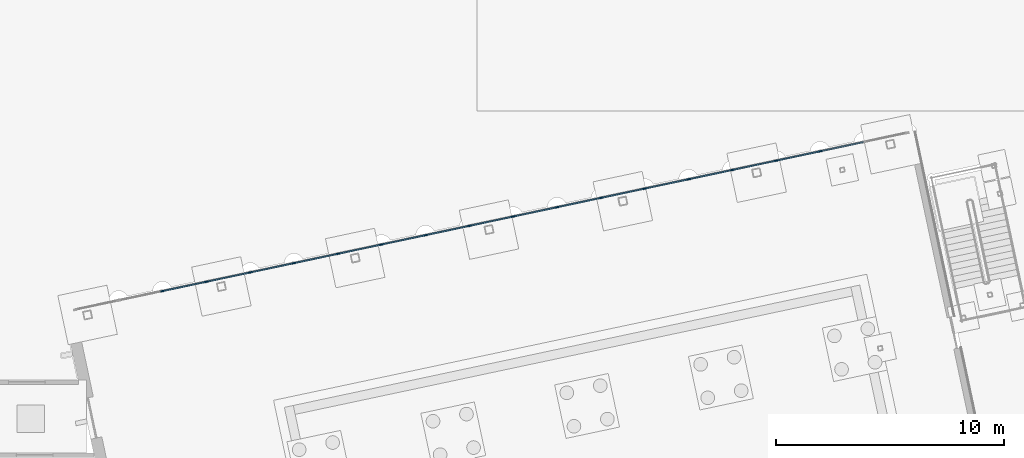
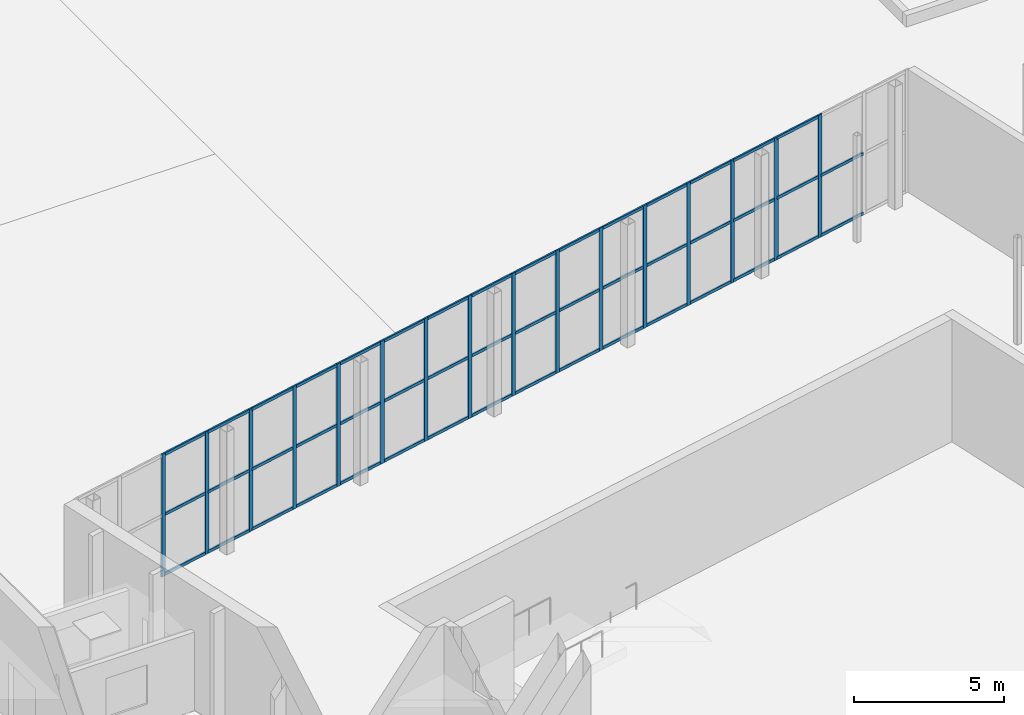
# One storey, part 53 of 157: 63 members, 1 element without a shape of its own.
"""IFC4 building model written with IfcOpenShell, lengths in metres."""

from ifc_helpers import new_model, si_unit, direction, frame, origin, origin_2d, place, context, subcontext, project, spatial, rectangle, extrude, material, layer, layer_set, material_profile, profile_set, type_object, element, aggregate, save


model = new_model("IFC4")

# Units and contexts
model_context = context("Model", 3, precision=1e-05, world=origin(), true_north=direction((0.0, 1.0)))
body_context = subcontext(model_context, "Body", "Model", "MODEL_VIEW")
ifc_project = project(units=[si_unit("LENGTHUNIT", "METRE"), si_unit("AREAUNIT", "SQUARE_METRE"), si_unit("VOLUMEUNIT", "CUBIC_METRE"), si_unit("PLANEANGLEUNIT", "RADIAN"), si_unit("MASSUNIT", "GRAM", prefix="KILO")], contexts=[model_context])

# Site, building, storey
site_placement = place(None, origin())
site = spatial("IfcSite", under=ifc_project, at=site_placement, CompositionType="ELEMENT")
building_placement = place(site_placement, origin())
building = spatial("IfcBuilding", under=site, at=building_placement, Name="Windward Yard Aquatics Centre", CompositionType="ELEMENT")
storey_placement = place(building_placement, origin())
storey = spatial("IfcBuildingStorey", under=building, at=storey_placement, Name="L00", CompositionType="ELEMENT", Elevation=0.0)

# Curtain wall, members
ifc_material_1 = material(Name="Aluminium and glass", Category="aluminium")
ifc_layer = layer(ifc_material_1, 0.159912109375)
ifc_layer_set = layer_set([ifc_layer], Name="D curtain wall 160")
curtain_wall_type = type_object("IfcCurtainWallType", Name="D curtain wall 160", PredefinedType="NOTDEFINED", material=ifc_layer_set)
curtain_wall_placement = place(storey_placement, origin())
curtain_wall = element("IfcCurtainWall", 1, at=curtain_wall_placement, inside=storey, type_object=curtain_wall_type, Name="North glazing L00", PredefinedType="NOTDEFINED")
ifc_material_2 = material(Name="Aluminium extrusion", Category="aluminium")
ifc_material_profile_1 = material_profile(ifc_material_2, rectangle(XDim=0.06005859375, YDim=0.159912109375, at=origin_2d()), Name="MULLION 60X160")
ifc_profile_set_1 = profile_set([ifc_material_profile_1], Name="Aluminium extrusion")
member_type_1 = type_object("IfcMemberType", Name="D curtain wall mullion 60X160", PredefinedType="MULLION", material=ifc_profile_set_1)
member_1_placement = place(storey_placement, frame((160.215576171875, 75.599609375, 0.0), z_axis=(0.0, 0.0, 1.0), x_axis=(-0.207911718662, 0.978147594815, 0.0)))
member_1 = element("IfcMember", 2, at=member_1_placement, type_object=member_type_1, Name="DCW-L00 mullion 3", PredefinedType="MULLION", context=body_context, shape_type="SweptSolid", body=[
    extrude(rectangle(XDim=0.06005859375, YDim=0.159912109375, at=origin_2d()), origin(), (0.0, 0.0, 1.0), 5.0),
])
member_2_placement = place(storey_placement, frame((162.13818359375, 76.00830078125, 0.0), z_axis=(0.0, 0.0, 1.0), x_axis=(-0.207911718662, 0.978147594815, 0.0)))
member_2 = element("IfcMember", 3, at=member_2_placement, type_object=member_type_1, Name="DCW-L00 mullion 4", PredefinedType="MULLION", context=body_context, shape_type="SweptSolid", body=[
    extrude(rectangle(XDim=0.06005859375, YDim=0.159912109375, at=origin_2d()), origin(), (0.0, 0.0, 1.0), 5.0),
])
member_3_placement = place(storey_placement, frame((164.06103515625, 76.4169921875, 0.0), z_axis=(0.0, 0.0, 1.0), x_axis=(-0.207911718662, 0.978147594815, 0.0)))
member_3 = element("IfcMember", 4, at=member_3_placement, type_object=member_type_1, Name="DCW-L00 mullion 5", PredefinedType="MULLION", context=body_context, shape_type="SweptSolid", body=[
    extrude(rectangle(XDim=0.06005859375, YDim=0.159912109375, at=origin_2d()), origin(), (0.0, 0.0, 1.0), 5.0),
])
member_4_placement = place(storey_placement, frame((165.98388671875, 76.82568359375, 0.0), z_axis=(0.0, 0.0, 1.0), x_axis=(-0.207911718662, 0.978147594815, 0.0)))
member_4 = element("IfcMember", 5, at=member_4_placement, type_object=member_type_1, Name="DCW-L00 mullion 6", PredefinedType="MULLION", context=body_context, shape_type="SweptSolid", body=[
    extrude(rectangle(XDim=0.06005859375, YDim=0.159912109375, at=origin_2d()), origin(), (0.0, 0.0, 1.0), 5.0),
])
member_5_placement = place(storey_placement, frame((167.90673828125, 77.234375, 0.0), z_axis=(0.0, 0.0, 1.0), x_axis=(-0.207911718662, 0.978147594815, 0.0)))
member_5 = element("IfcMember", 6, at=member_5_placement, type_object=member_type_1, Name="DCW-L00 mullion 7", PredefinedType="MULLION", context=body_context, shape_type="SweptSolid", body=[
    extrude(rectangle(XDim=0.06005859375, YDim=0.159912109375, at=origin_2d()), origin(), (0.0, 0.0, 1.0), 5.0),
])
member_6_placement = place(storey_placement, frame((169.82958984375, 77.64306640625, 0.0), z_axis=(0.0, 0.0, 1.0), x_axis=(-0.207911718662, 0.978147594815, 0.0)))
member_6 = element("IfcMember", 7, at=member_6_placement, type_object=member_type_1, Name="DCW-L00 mullion 8", PredefinedType="MULLION", context=body_context, shape_type="SweptSolid", body=[
    extrude(rectangle(XDim=0.06005859375, YDim=0.159912109375, at=origin_2d()), origin(), (0.0, 0.0, 1.0), 5.0),
])
member_7_placement = place(storey_placement, frame((171.75244140625, 78.0517578125, 0.0), z_axis=(0.0, 0.0, 1.0), x_axis=(-0.207911718662, 0.978147594815, 0.0)))
member_7 = element("IfcMember", 8, at=member_7_placement, type_object=member_type_1, Name="DCW-L00 mullion 9", PredefinedType="MULLION", context=body_context, shape_type="SweptSolid", body=[
    extrude(rectangle(XDim=0.06005859375, YDim=0.159912109375, at=origin_2d()), origin(), (0.0, 0.0, 1.0), 5.0),
])
member_8_placement = place(storey_placement, frame((173.67529296875, 78.46044921875, 0.0), z_axis=(0.0, 0.0, 1.0), x_axis=(-0.207911718662, 0.978147594815, 0.0)))
member_8 = element("IfcMember", 9, at=member_8_placement, type_object=member_type_1, Name="DCW-L00 mullion 10", PredefinedType="MULLION", context=body_context, shape_type="SweptSolid", body=[
    extrude(rectangle(XDim=0.06005859375, YDim=0.159912109375, at=origin_2d()), origin(), (0.0, 0.0, 1.0), 5.0),
])
member_9_placement = place(storey_placement, frame((175.59814453125, 78.869140625, 0.0), z_axis=(0.0, 0.0, 1.0), x_axis=(-0.207911718662, 0.978147594815, 0.0)))
member_9 = element("IfcMember", 10, at=member_9_placement, type_object=member_type_1, Name="DCW-L00 mullion 11", PredefinedType="MULLION", context=body_context, shape_type="SweptSolid", body=[
    extrude(rectangle(XDim=0.06005859375, YDim=0.159912109375, at=origin_2d()), origin(), (0.0, 0.0, 1.0), 5.0),
])
member_10_placement = place(storey_placement, frame((177.52099609375, 79.27783203125, 0.0), z_axis=(0.0, 0.0, 1.0), x_axis=(-0.207911718662, 0.978147594815, 0.0)))
member_10 = element("IfcMember", 11, at=member_10_placement, type_object=member_type_1, Name="DCW-L00 mullion 12", PredefinedType="MULLION", context=body_context, shape_type="SweptSolid", body=[
    extrude(rectangle(XDim=0.06005859375, YDim=0.159912109375, at=origin_2d()), origin(), (0.0, 0.0, 1.0), 5.0),
])
member_11_placement = place(storey_placement, frame((179.44384765625, 79.6865234375, 0.0), z_axis=(0.0, 0.0, 1.0), x_axis=(-0.207911718662, 0.978147594815, 0.0)))
member_11 = element("IfcMember", 12, at=member_11_placement, type_object=member_type_1, Name="DCW-L00 mullion 13", PredefinedType="MULLION", context=body_context, shape_type="SweptSolid", body=[
    extrude(rectangle(XDim=0.06005859375, YDim=0.159912109375, at=origin_2d()), origin(), (0.0, 0.0, 1.0), 5.0),
])
member_12_placement = place(storey_placement, frame((181.36669921875, 80.09521484375, 0.0), z_axis=(0.0, 0.0, 1.0), x_axis=(-0.207911718662, 0.978147594815, 0.0)))
member_12 = element("IfcMember", 13, at=member_12_placement, type_object=member_type_1, Name="DCW-L00 mullion 14", PredefinedType="MULLION", context=body_context, shape_type="SweptSolid", body=[
    extrude(rectangle(XDim=0.06005859375, YDim=0.159912109375, at=origin_2d()), origin(), (0.0, 0.0, 1.0), 5.0),
])
member_13_placement = place(storey_placement, frame((183.28955078125, 80.504150390625, 0.0), z_axis=(0.0, 0.0, 1.0), x_axis=(-0.207911718662, 0.978147594815, 0.0)))
member_13 = element("IfcMember", 14, at=member_13_placement, type_object=member_type_1, Name="DCW-L00 mullion 15", PredefinedType="MULLION", context=body_context, shape_type="SweptSolid", body=[
    extrude(rectangle(XDim=0.06005859375, YDim=0.159912109375, at=origin_2d()), origin(), (0.0, 0.0, 1.0), 5.0),
])
member_14_placement = place(storey_placement, frame((185.212158203125, 80.912841796875, 0.0), z_axis=(0.0, 0.0, 1.0), x_axis=(-0.207911718662, 0.978147594815, 0.0)))
member_14 = element("IfcMember", 15, at=member_14_placement, type_object=member_type_1, Name="DCW-L00 mullion 16", PredefinedType="MULLION", context=body_context, shape_type="SweptSolid", body=[
    extrude(rectangle(XDim=0.06005859375, YDim=0.159912109375, at=origin_2d()), origin(), (0.0, 0.0, 1.0), 5.0),
])
member_15_placement = place(storey_placement, frame((187.135009765625, 81.321533203125, 0.0), z_axis=(0.0, 0.0, 1.0), x_axis=(-0.207911718662, 0.978147594815, 0.0)))
member_15 = element("IfcMember", 16, at=member_15_placement, type_object=member_type_1, Name="DCW-L00 mullion 17", PredefinedType="MULLION", context=body_context, shape_type="SweptSolid", body=[
    extrude(rectangle(XDim=0.06005859375, YDim=0.159912109375, at=origin_2d()), origin(), (0.0, 0.0, 1.0), 5.0),
])
member_16_placement = place(storey_placement, frame((189.057861328125, 81.730224609375, 0.0), z_axis=(0.0, 0.0, 1.0), x_axis=(-0.207911718662, 0.978147594815, 0.0)))
member_16 = element("IfcMember", 17, at=member_16_placement, type_object=member_type_1, Name="DCW-L00 mullion 18", PredefinedType="MULLION", context=body_context, shape_type="SweptSolid", body=[
    extrude(rectangle(XDim=0.06005859375, YDim=0.159912109375, at=origin_2d()), origin(), (0.0, 0.0, 1.0), 5.0),
])
ifc_material_profile_2 = material_profile(ifc_material_2, rectangle(XDim=0.06005859375, YDim=0.1201171875, at=origin_2d()), Name="TRANSOM 60X120")
ifc_profile_set_2 = profile_set([ifc_material_profile_2], Name="Aluminium extrusion")
member_type_2 = type_object("IfcMemberType", Name="D curtain wall transom 60X120", PredefinedType="USERDEFINED", material=ifc_profile_set_2)
member_17_placement = place(storey_placement, frame((160.244873046875, 75.605712890625, 0.06005859375), z_axis=(0.978144196583, 0.207927705443, 0.0), x_axis=(-0.207927705443, 0.978144196583, 0.0)))
member_17 = element("IfcMember", 18, at=member_17_placement, type_object=member_type_2, Name="DCW-L00 transom 3.1", ObjectType="TRANSOM", PredefinedType="USERDEFINED", context=body_context, shape_type="SweptSolid", body=[
    extrude(rectangle(XDim=0.06005859375, YDim=0.1201171875, at=origin_2d()), origin(), (0.0, 0.0, 1.0), 1.90576171875),
])
member_18_placement = place(storey_placement, frame((160.244873046875, 75.605712890625, 2.5), z_axis=(0.978144196583, 0.207927705443, 0.0), x_axis=(-0.207927705443, 0.978144196583, 0.0)))
member_18 = element("IfcMember", 19, at=member_18_placement, type_object=member_type_2, Name="DCW-L00 transom 3.2", ObjectType="TRANSOM", PredefinedType="USERDEFINED", context=body_context, shape_type="SweptSolid", body=[
    extrude(rectangle(XDim=0.06005859375, YDim=0.1201171875, at=origin_2d()), origin(), (0.0, 0.0, 1.0), 1.90576171875),
])
member_19_placement = place(storey_placement, frame((160.244873046875, 75.605712890625, 4.93994140625), z_axis=(0.978144196583, 0.207927705443, 0.0), x_axis=(-0.207927705443, 0.978144196583, 0.0)))
member_19 = element("IfcMember", 20, at=member_19_placement, type_object=member_type_2, Name="DCW-L00 transom 3.3", ObjectType="TRANSOM", PredefinedType="USERDEFINED", context=body_context, shape_type="SweptSolid", body=[
    extrude(rectangle(XDim=0.06005859375, YDim=0.1201171875, at=origin_2d()), origin(), (0.0, 0.0, 1.0), 1.90576171875),
])
member_20_placement = place(storey_placement, frame((162.167724609375, 76.014404296875, 0.06005859375), z_axis=(0.978144196583, 0.207927705443, 0.0), x_axis=(-0.207927705443, 0.978144196583, 0.0)))
member_20 = element("IfcMember", 21, at=member_20_placement, type_object=member_type_2, Name="DCW-L00 transom 4.1", ObjectType="TRANSOM", PredefinedType="USERDEFINED", context=body_context, shape_type="SweptSolid", body=[
    extrude(rectangle(XDim=0.06005859375, YDim=0.1201171875, at=origin_2d()), origin(), (0.0, 0.0, 1.0), 1.90576171875),
])
member_21_placement = place(storey_placement, frame((162.167724609375, 76.014404296875, 2.5), z_axis=(0.978144196583, 0.207927705443, 0.0), x_axis=(-0.207927705443, 0.978144196583, 0.0)))
member_21 = element("IfcMember", 22, at=member_21_placement, type_object=member_type_2, Name="DCW-L00 transom 4.2", ObjectType="TRANSOM", PredefinedType="USERDEFINED", context=body_context, shape_type="SweptSolid", body=[
    extrude(rectangle(XDim=0.06005859375, YDim=0.1201171875, at=origin_2d()), origin(), (0.0, 0.0, 1.0), 1.90576171875),
])
member_22_placement = place(storey_placement, frame((162.167724609375, 76.014404296875, 4.93994140625), z_axis=(0.978144196583, 0.207927705443, 0.0), x_axis=(-0.207927705443, 0.978144196583, 0.0)))
member_22 = element("IfcMember", 23, at=member_22_placement, type_object=member_type_2, Name="DCW-L00 transom 4.3", ObjectType="TRANSOM", PredefinedType="USERDEFINED", context=body_context, shape_type="SweptSolid", body=[
    extrude(rectangle(XDim=0.06005859375, YDim=0.1201171875, at=origin_2d()), origin(), (0.0, 0.0, 1.0), 1.90576171875),
])
member_23_placement = place(storey_placement, frame((164.090576171875, 76.423095703125, 0.06005859375), z_axis=(0.978144196583, 0.207927705443, 0.0), x_axis=(-0.207927705443, 0.978144196583, 0.0)))
member_23 = element("IfcMember", 24, at=member_23_placement, type_object=member_type_2, Name="DCW-L00 transom 5.1", ObjectType="TRANSOM", PredefinedType="USERDEFINED", context=body_context, shape_type="SweptSolid", body=[
    extrude(rectangle(XDim=0.06005859375, YDim=0.1201171875, at=origin_2d()), origin(), (0.0, 0.0, 1.0), 1.90576171875),
])
member_24_placement = place(storey_placement, frame((164.090576171875, 76.423095703125, 2.5), z_axis=(0.978144196583, 0.207927705443, 0.0), x_axis=(-0.207927705443, 0.978144196583, 0.0)))
member_24 = element("IfcMember", 25, at=member_24_placement, type_object=member_type_2, Name="DCW-L00 transom 5.2", ObjectType="TRANSOM", PredefinedType="USERDEFINED", context=body_context, shape_type="SweptSolid", body=[
    extrude(rectangle(XDim=0.06005859375, YDim=0.1201171875, at=origin_2d()), origin(), (0.0, 0.0, 1.0), 1.90576171875),
])
member_25_placement = place(storey_placement, frame((164.090576171875, 76.423095703125, 4.93994140625), z_axis=(0.978144196583, 0.207927705443, 0.0), x_axis=(-0.207927705443, 0.978144196583, 0.0)))
member_25 = element("IfcMember", 26, at=member_25_placement, type_object=member_type_2, Name="DCW-L00 transom 5.3", ObjectType="TRANSOM", PredefinedType="USERDEFINED", context=body_context, shape_type="SweptSolid", body=[
    extrude(rectangle(XDim=0.06005859375, YDim=0.1201171875, at=origin_2d()), origin(), (0.0, 0.0, 1.0), 1.90576171875),
])
member_26_placement = place(storey_placement, frame((166.01318359375, 76.831787109375, 0.06005859375), z_axis=(0.978149734379, 0.207901652553, 0.0), x_axis=(-0.207901652553, 0.978149734379, 0.0)))
member_26 = element("IfcMember", 27, at=member_26_placement, type_object=member_type_2, Name="DCW-L00 transom 6.1", ObjectType="TRANSOM", PredefinedType="USERDEFINED", context=body_context, shape_type="SweptSolid", body=[
    extrude(rectangle(XDim=0.06005859375, YDim=0.1201171875, at=origin_2d()), origin(), (0.0, 0.0, 1.0), 1.906005859375),
])
member_27_placement = place(storey_placement, frame((166.01318359375, 76.831787109375, 2.5), z_axis=(0.978149734379, 0.207901652553, 0.0), x_axis=(-0.207901652553, 0.978149734379, 0.0)))
member_27 = element("IfcMember", 28, at=member_27_placement, type_object=member_type_2, Name="DCW-L00 transom 6.2", ObjectType="TRANSOM", PredefinedType="USERDEFINED", context=body_context, shape_type="SweptSolid", body=[
    extrude(rectangle(XDim=0.06005859375, YDim=0.1201171875, at=origin_2d()), origin(), (0.0, 0.0, 1.0), 1.906005859375),
])
member_28_placement = place(storey_placement, frame((166.01318359375, 76.831787109375, 4.93994140625), z_axis=(0.978149734379, 0.207901652553, 0.0), x_axis=(-0.207901652553, 0.978149734379, 0.0)))
member_28 = element("IfcMember", 29, at=member_28_placement, type_object=member_type_2, Name="DCW-L00 transom 6.3", ObjectType="TRANSOM", PredefinedType="USERDEFINED", context=body_context, shape_type="SweptSolid", body=[
    extrude(rectangle(XDim=0.06005859375, YDim=0.1201171875, at=origin_2d()), origin(), (0.0, 0.0, 1.0), 1.906005859375),
])
member_29_placement = place(storey_placement, frame((167.93603515625, 77.240478515625, 0.06005859375), z_axis=(0.978149734379, 0.207901652553, 0.0), x_axis=(-0.207901652553, 0.978149734379, 0.0)))
member_29 = element("IfcMember", 30, at=member_29_placement, type_object=member_type_2, Name="DCW-L00 transom 7.1", ObjectType="TRANSOM", PredefinedType="USERDEFINED", context=body_context, shape_type="SweptSolid", body=[
    extrude(rectangle(XDim=0.06005859375, YDim=0.1201171875, at=origin_2d()), origin(), (0.0, 0.0, 1.0), 1.906005859375),
])
member_30_placement = place(storey_placement, frame((167.93603515625, 77.240478515625, 2.5), z_axis=(0.978149734379, 0.207901652553, 0.0), x_axis=(-0.207901652553, 0.978149734379, 0.0)))
member_30 = element("IfcMember", 31, at=member_30_placement, type_object=member_type_2, Name="DCW-L00 transom 7.2", ObjectType="TRANSOM", PredefinedType="USERDEFINED", context=body_context, shape_type="SweptSolid", body=[
    extrude(rectangle(XDim=0.06005859375, YDim=0.1201171875, at=origin_2d()), origin(), (0.0, 0.0, 1.0), 1.906005859375),
])
member_31_placement = place(storey_placement, frame((167.93603515625, 77.240478515625, 4.93994140625), z_axis=(0.978149734379, 0.207901652553, 0.0), x_axis=(-0.207901652553, 0.978149734379, 0.0)))
member_31 = element("IfcMember", 32, at=member_31_placement, type_object=member_type_2, Name="DCW-L00 transom 7.3", ObjectType="TRANSOM", PredefinedType="USERDEFINED", context=body_context, shape_type="SweptSolid", body=[
    extrude(rectangle(XDim=0.06005859375, YDim=0.1201171875, at=origin_2d()), origin(), (0.0, 0.0, 1.0), 1.906005859375),
])
member_32_placement = place(storey_placement, frame((169.85888671875, 77.6494140625, 0.06005859375), z_axis=(0.978149734379, 0.207901652553, 0.0), x_axis=(-0.207901652553, 0.978149734379, 0.0)))
member_32 = element("IfcMember", 33, at=member_32_placement, type_object=member_type_2, Name="DCW-L00 transom 8.1", ObjectType="TRANSOM", PredefinedType="USERDEFINED", context=body_context, shape_type="SweptSolid", body=[
    extrude(rectangle(XDim=0.06005859375, YDim=0.1201171875, at=origin_2d()), origin(), (0.0, 0.0, 1.0), 1.906005859375),
])
member_33_placement = place(storey_placement, frame((169.85888671875, 77.6494140625, 2.5), z_axis=(0.978149734379, 0.207901652553, 0.0), x_axis=(-0.207901652553, 0.978149734379, 0.0)))
member_33 = element("IfcMember", 34, at=member_33_placement, type_object=member_type_2, Name="DCW-L00 transom 8.2", ObjectType="TRANSOM", PredefinedType="USERDEFINED", context=body_context, shape_type="SweptSolid", body=[
    extrude(rectangle(XDim=0.06005859375, YDim=0.1201171875, at=origin_2d()), origin(), (0.0, 0.0, 1.0), 1.906005859375),
])
member_34_placement = place(storey_placement, frame((169.85888671875, 77.6494140625, 4.93994140625), z_axis=(0.978149734379, 0.207901652553, 0.0), x_axis=(-0.207901652553, 0.978149734379, 0.0)))
member_34 = element("IfcMember", 35, at=member_34_placement, type_object=member_type_2, Name="DCW-L00 transom 8.3", ObjectType="TRANSOM", PredefinedType="USERDEFINED", context=body_context, shape_type="SweptSolid", body=[
    extrude(rectangle(XDim=0.06005859375, YDim=0.1201171875, at=origin_2d()), origin(), (0.0, 0.0, 1.0), 1.906005859375),
])
member_35_placement = place(storey_placement, frame((171.78173828125, 78.05810546875, 0.06005859375), z_axis=(0.978149734379, 0.207901652553, 0.0), x_axis=(-0.207901652553, 0.978149734379, 0.0)))
member_35 = element("IfcMember", 36, at=member_35_placement, type_object=member_type_2, Name="DCW-L00 transom 9.1", ObjectType="TRANSOM", PredefinedType="USERDEFINED", context=body_context, shape_type="SweptSolid", body=[
    extrude(rectangle(XDim=0.06005859375, YDim=0.1201171875, at=origin_2d()), origin(), (0.0, 0.0, 1.0), 1.906005859375),
])
member_36_placement = place(storey_placement, frame((171.78173828125, 78.05810546875, 2.5), z_axis=(0.978149734379, 0.207901652553, 0.0), x_axis=(-0.207901652553, 0.978149734379, 0.0)))
member_36 = element("IfcMember", 37, at=member_36_placement, type_object=member_type_2, Name="DCW-L00 transom 9.2", ObjectType="TRANSOM", PredefinedType="USERDEFINED", context=body_context, shape_type="SweptSolid", body=[
    extrude(rectangle(XDim=0.06005859375, YDim=0.1201171875, at=origin_2d()), origin(), (0.0, 0.0, 1.0), 1.906005859375),
])
member_37_placement = place(storey_placement, frame((171.78173828125, 78.05810546875, 4.93994140625), z_axis=(0.978149734379, 0.207901652553, 0.0), x_axis=(-0.207901652553, 0.978149734379, 0.0)))
member_37 = element("IfcMember", 38, at=member_37_placement, type_object=member_type_2, Name="DCW-L00 transom 9.3", ObjectType="TRANSOM", PredefinedType="USERDEFINED", context=body_context, shape_type="SweptSolid", body=[
    extrude(rectangle(XDim=0.06005859375, YDim=0.1201171875, at=origin_2d()), origin(), (0.0, 0.0, 1.0), 1.906005859375),
])
member_38_placement = place(storey_placement, frame((173.70458984375, 78.466796875, 0.06005859375), z_axis=(0.978149734379, 0.207901652553, 0.0), x_axis=(-0.207901652553, 0.978149734379, 0.0)))
member_38 = element("IfcMember", 39, at=member_38_placement, type_object=member_type_2, Name="DCW-L00 transom 10.1", ObjectType="TRANSOM", PredefinedType="USERDEFINED", context=body_context, shape_type="SweptSolid", body=[
    extrude(rectangle(XDim=0.06005859375, YDim=0.1201171875, at=origin_2d()), origin(), (0.0, 0.0, 1.0), 1.906005859375),
])
member_39_placement = place(storey_placement, frame((173.70458984375, 78.466796875, 2.5), z_axis=(0.978149734379, 0.207901652553, 0.0), x_axis=(-0.207901652553, 0.978149734379, 0.0)))
member_39 = element("IfcMember", 40, at=member_39_placement, type_object=member_type_2, Name="DCW-L00 transom 10.2", ObjectType="TRANSOM", PredefinedType="USERDEFINED", context=body_context, shape_type="SweptSolid", body=[
    extrude(rectangle(XDim=0.06005859375, YDim=0.1201171875, at=origin_2d()), origin(), (0.0, 0.0, 1.0), 1.906005859375),
])
member_40_placement = place(storey_placement, frame((173.70458984375, 78.466796875, 4.93994140625), z_axis=(0.978149734379, 0.207901652553, 0.0), x_axis=(-0.207901652553, 0.978149734379, 0.0)))
member_40 = element("IfcMember", 41, at=member_40_placement, type_object=member_type_2, Name="DCW-L00 transom 10.3", ObjectType="TRANSOM", PredefinedType="USERDEFINED", context=body_context, shape_type="SweptSolid", body=[
    extrude(rectangle(XDim=0.06005859375, YDim=0.1201171875, at=origin_2d()), origin(), (0.0, 0.0, 1.0), 1.906005859375),
])
member_41_placement = place(storey_placement, frame((175.62744140625, 78.87548828125, 0.06005859375), z_axis=(0.978149734379, 0.207901652553, 0.0), x_axis=(-0.207901652553, 0.978149734379, 0.0)))
member_41 = element("IfcMember", 42, at=member_41_placement, type_object=member_type_2, Name="DCW-L00 transom 11.1", ObjectType="TRANSOM", PredefinedType="USERDEFINED", context=body_context, shape_type="SweptSolid", body=[
    extrude(rectangle(XDim=0.06005859375, YDim=0.1201171875, at=origin_2d()), origin(), (0.0, 0.0, 1.0), 1.906005859375),
])
member_42_placement = place(storey_placement, frame((175.62744140625, 78.87548828125, 2.5), z_axis=(0.978149734379, 0.207901652553, 0.0), x_axis=(-0.207901652553, 0.978149734379, 0.0)))
member_42 = element("IfcMember", 43, at=member_42_placement, type_object=member_type_2, Name="DCW-L00 transom 11.2", ObjectType="TRANSOM", PredefinedType="USERDEFINED", context=body_context, shape_type="SweptSolid", body=[
    extrude(rectangle(XDim=0.06005859375, YDim=0.1201171875, at=origin_2d()), origin(), (0.0, 0.0, 1.0), 1.906005859375),
])
member_43_placement = place(storey_placement, frame((175.62744140625, 78.87548828125, 4.93994140625), z_axis=(0.978149734379, 0.207901652553, 0.0), x_axis=(-0.207901652553, 0.978149734379, 0.0)))
member_43 = element("IfcMember", 44, at=member_43_placement, type_object=member_type_2, Name="DCW-L00 transom 11.3", ObjectType="TRANSOM", PredefinedType="USERDEFINED", context=body_context, shape_type="SweptSolid", body=[
    extrude(rectangle(XDim=0.06005859375, YDim=0.1201171875, at=origin_2d()), origin(), (0.0, 0.0, 1.0), 1.906005859375),
])
member_44_placement = place(storey_placement, frame((177.55029296875, 79.2841796875, 0.06005859375), z_axis=(0.978149734379, 0.207901652553, 0.0), x_axis=(-0.207901652553, 0.978149734379, 0.0)))
member_44 = element("IfcMember", 45, at=member_44_placement, type_object=member_type_2, Name="DCW-L00 transom 12.1", ObjectType="TRANSOM", PredefinedType="USERDEFINED", context=body_context, shape_type="SweptSolid", body=[
    extrude(rectangle(XDim=0.06005859375, YDim=0.1201171875, at=origin_2d()), origin(), (0.0, 0.0, 1.0), 1.906005859375),
])
member_45_placement = place(storey_placement, frame((177.55029296875, 79.2841796875, 2.5), z_axis=(0.978149734379, 0.207901652553, 0.0), x_axis=(-0.207901652553, 0.978149734379, 0.0)))
member_45 = element("IfcMember", 46, at=member_45_placement, type_object=member_type_2, Name="DCW-L00 transom 12.2", ObjectType="TRANSOM", PredefinedType="USERDEFINED", context=body_context, shape_type="SweptSolid", body=[
    extrude(rectangle(XDim=0.06005859375, YDim=0.1201171875, at=origin_2d()), origin(), (0.0, 0.0, 1.0), 1.906005859375),
])
member_46_placement = place(storey_placement, frame((177.55029296875, 79.2841796875, 4.93994140625), z_axis=(0.978149734379, 0.207901652553, 0.0), x_axis=(-0.207901652553, 0.978149734379, 0.0)))
member_46 = element("IfcMember", 47, at=member_46_placement, type_object=member_type_2, Name="DCW-L00 transom 12.3", ObjectType="TRANSOM", PredefinedType="USERDEFINED", context=body_context, shape_type="SweptSolid", body=[
    extrude(rectangle(XDim=0.06005859375, YDim=0.1201171875, at=origin_2d()), origin(), (0.0, 0.0, 1.0), 1.906005859375),
])
member_47_placement = place(storey_placement, frame((179.47314453125, 79.69287109375, 0.06005859375), z_axis=(0.978144196583, 0.207927705443, 0.0), x_axis=(-0.207927705443, 0.978144196583, 0.0)))
member_47 = element("IfcMember", 48, at=member_47_placement, type_object=member_type_2, Name="DCW-L00 transom 13.1", ObjectType="TRANSOM", PredefinedType="USERDEFINED", context=body_context, shape_type="SweptSolid", body=[
    extrude(rectangle(XDim=0.06005859375, YDim=0.1201171875, at=origin_2d()), origin(), (0.0, 0.0, 1.0), 1.90576171875),
])
member_48_placement = place(storey_placement, frame((179.47314453125, 79.69287109375, 2.5), z_axis=(0.978144196583, 0.207927705443, 0.0), x_axis=(-0.207927705443, 0.978144196583, 0.0)))
member_48 = element("IfcMember", 49, at=member_48_placement, type_object=member_type_2, Name="DCW-L00 transom 13.2", ObjectType="TRANSOM", PredefinedType="USERDEFINED", context=body_context, shape_type="SweptSolid", body=[
    extrude(rectangle(XDim=0.06005859375, YDim=0.1201171875, at=origin_2d()), origin(), (0.0, 0.0, 1.0), 1.90576171875),
])
member_49_placement = place(storey_placement, frame((179.47314453125, 79.69287109375, 4.93994140625), z_axis=(0.978144196583, 0.207927705443, 0.0), x_axis=(-0.207927705443, 0.978144196583, 0.0)))
member_49 = element("IfcMember", 50, at=member_49_placement, type_object=member_type_2, Name="DCW-L00 transom 13.3", ObjectType="TRANSOM", PredefinedType="USERDEFINED", context=body_context, shape_type="SweptSolid", body=[
    extrude(rectangle(XDim=0.06005859375, YDim=0.1201171875, at=origin_2d()), origin(), (0.0, 0.0, 1.0), 1.90576171875),
])
member_50_placement = place(storey_placement, frame((181.39599609375, 80.1015625, 0.06005859375), z_axis=(0.978144196583, 0.207927705443, 0.0), x_axis=(-0.207927705443, 0.978144196583, 0.0)))
member_50 = element("IfcMember", 51, at=member_50_placement, type_object=member_type_2, Name="DCW-L00 transom 14.1", ObjectType="TRANSOM", PredefinedType="USERDEFINED", context=body_context, shape_type="SweptSolid", body=[
    extrude(rectangle(XDim=0.06005859375, YDim=0.1201171875, at=origin_2d()), origin(), (0.0, 0.0, 1.0), 1.90576171875),
])
member_51_placement = place(storey_placement, frame((181.39599609375, 80.1015625, 2.5), z_axis=(0.978144196583, 0.207927705443, 0.0), x_axis=(-0.207927705443, 0.978144196583, 0.0)))
member_51 = element("IfcMember", 52, at=member_51_placement, type_object=member_type_2, Name="DCW-L00 transom 14.2", ObjectType="TRANSOM", PredefinedType="USERDEFINED", context=body_context, shape_type="SweptSolid", body=[
    extrude(rectangle(XDim=0.06005859375, YDim=0.1201171875, at=origin_2d()), origin(), (0.0, 0.0, 1.0), 1.90576171875),
])
member_52_placement = place(storey_placement, frame((181.39599609375, 80.1015625, 4.93994140625), z_axis=(0.978144196583, 0.207927705443, 0.0), x_axis=(-0.207927705443, 0.978144196583, 0.0)))
member_52 = element("IfcMember", 53, at=member_52_placement, type_object=member_type_2, Name="DCW-L00 transom 14.3", ObjectType="TRANSOM", PredefinedType="USERDEFINED", context=body_context, shape_type="SweptSolid", body=[
    extrude(rectangle(XDim=0.06005859375, YDim=0.1201171875, at=origin_2d()), origin(), (0.0, 0.0, 1.0), 1.90576171875),
])
member_53_placement = place(storey_placement, frame((183.31884765625, 80.51025390625, 0.06005859375), z_axis=(0.978144196583, 0.207927705443, 0.0), x_axis=(-0.207927705443, 0.978144196583, 0.0)))
member_53 = element("IfcMember", 54, at=member_53_placement, type_object=member_type_2, Name="DCW-L00 transom 15.1", ObjectType="TRANSOM", PredefinedType="USERDEFINED", context=body_context, shape_type="SweptSolid", body=[
    extrude(rectangle(XDim=0.06005859375, YDim=0.1201171875, at=origin_2d()), origin(), (0.0, 0.0, 1.0), 1.90576171875),
])
member_54_placement = place(storey_placement, frame((183.31884765625, 80.51025390625, 2.5), z_axis=(0.978144196583, 0.207927705443, 0.0), x_axis=(-0.207927705443, 0.978144196583, 0.0)))
member_54 = element("IfcMember", 55, at=member_54_placement, type_object=member_type_2, Name="DCW-L00 transom 15.2", ObjectType="TRANSOM", PredefinedType="USERDEFINED", context=body_context, shape_type="SweptSolid", body=[
    extrude(rectangle(XDim=0.06005859375, YDim=0.1201171875, at=origin_2d()), origin(), (0.0, 0.0, 1.0), 1.90576171875),
])
member_55_placement = place(storey_placement, frame((183.31884765625, 80.51025390625, 4.93994140625), z_axis=(0.978144196583, 0.207927705443, 0.0), x_axis=(-0.207927705443, 0.978144196583, 0.0)))
member_55 = element("IfcMember", 56, at=member_55_placement, type_object=member_type_2, Name="DCW-L00 transom 15.3", ObjectType="TRANSOM", PredefinedType="USERDEFINED", context=body_context, shape_type="SweptSolid", body=[
    extrude(rectangle(XDim=0.06005859375, YDim=0.1201171875, at=origin_2d()), origin(), (0.0, 0.0, 1.0), 1.90576171875),
])
member_56_placement = place(storey_placement, frame((185.24169921875, 80.9189453125, 0.06005859375), z_axis=(0.978144196583, 0.207927705443, 0.0), x_axis=(-0.207927705443, 0.978144196583, 0.0)))
member_56 = element("IfcMember", 57, at=member_56_placement, type_object=member_type_2, Name="DCW-L00 transom 16.1", ObjectType="TRANSOM", PredefinedType="USERDEFINED", context=body_context, shape_type="SweptSolid", body=[
    extrude(rectangle(XDim=0.06005859375, YDim=0.1201171875, at=origin_2d()), origin(), (0.0, 0.0, 1.0), 1.90576171875),
])
member_57_placement = place(storey_placement, frame((185.24169921875, 80.9189453125, 2.5), z_axis=(0.978144196583, 0.207927705443, 0.0), x_axis=(-0.207927705443, 0.978144196583, 0.0)))
member_57 = element("IfcMember", 58, at=member_57_placement, type_object=member_type_2, Name="DCW-L00 transom 16.2", ObjectType="TRANSOM", PredefinedType="USERDEFINED", context=body_context, shape_type="SweptSolid", body=[
    extrude(rectangle(XDim=0.06005859375, YDim=0.1201171875, at=origin_2d()), origin(), (0.0, 0.0, 1.0), 1.90576171875),
])
member_58_placement = place(storey_placement, frame((185.24169921875, 80.9189453125, 4.93994140625), z_axis=(0.978144196583, 0.207927705443, 0.0), x_axis=(-0.207927705443, 0.978144196583, 0.0)))
member_58 = element("IfcMember", 59, at=member_58_placement, type_object=member_type_2, Name="DCW-L00 transom 16.3", ObjectType="TRANSOM", PredefinedType="USERDEFINED", context=body_context, shape_type="SweptSolid", body=[
    extrude(rectangle(XDim=0.06005859375, YDim=0.1201171875, at=origin_2d()), origin(), (0.0, 0.0, 1.0), 1.90576171875),
])
member_59_placement = place(storey_placement, frame((187.16455078125, 81.32763671875, 0.06005859375), z_axis=(0.978144196583, 0.207927705443, 0.0), x_axis=(-0.207927705443, 0.978144196583, 0.0)))
member_59 = element("IfcMember", 60, at=member_59_placement, type_object=member_type_2, Name="DCW-L00 transom 17.1", ObjectType="TRANSOM", PredefinedType="USERDEFINED", context=body_context, shape_type="SweptSolid", body=[
    extrude(rectangle(XDim=0.06005859375, YDim=0.1201171875, at=origin_2d()), origin(), (0.0, 0.0, 1.0), 1.90576171875),
])
member_60_placement = place(storey_placement, frame((187.16455078125, 81.32763671875, 2.5), z_axis=(0.978144196583, 0.207927705443, 0.0), x_axis=(-0.207927705443, 0.978144196583, 0.0)))
member_60 = element("IfcMember", 61, at=member_60_placement, type_object=member_type_2, Name="DCW-L00 transom 17.2", ObjectType="TRANSOM", PredefinedType="USERDEFINED", context=body_context, shape_type="SweptSolid", body=[
    extrude(rectangle(XDim=0.06005859375, YDim=0.1201171875, at=origin_2d()), origin(), (0.0, 0.0, 1.0), 1.90576171875),
])
member_61_placement = place(storey_placement, frame((187.16455078125, 81.32763671875, 4.93994140625), z_axis=(0.978144196583, 0.207927705443, 0.0), x_axis=(-0.207927705443, 0.978144196583, 0.0)))
member_61 = element("IfcMember", 62, at=member_61_placement, type_object=member_type_2, Name="DCW-L00 transom 17.3", ObjectType="TRANSOM", PredefinedType="USERDEFINED", context=body_context, shape_type="SweptSolid", body=[
    extrude(rectangle(XDim=0.06005859375, YDim=0.1201171875, at=origin_2d()), origin(), (0.0, 0.0, 1.0), 1.90576171875),
])
member_62_placement = place(storey_placement, frame((189.08740234375, 81.736328125, 0.06005859375), z_axis=(0.978144196583, 0.207927705443, 0.0), x_axis=(-0.207927705443, 0.978144196583, 0.0)))
member_62 = element("IfcMember", 63, at=member_62_placement, type_object=member_type_2, Name="DCW-L00 transom 18.1", ObjectType="TRANSOM", PredefinedType="USERDEFINED", context=body_context, shape_type="SweptSolid", body=[
    extrude(rectangle(XDim=0.06005859375, YDim=0.1201171875, at=origin_2d()), origin(), (0.0, 0.0, 1.0), 1.90576171875),
])
member_63_placement = place(storey_placement, frame((189.08740234375, 81.736328125, 2.5), z_axis=(0.978144196583, 0.207927705443, 0.0), x_axis=(-0.207927705443, 0.978144196583, 0.0)))
member_63 = element("IfcMember", 64, at=member_63_placement, type_object=member_type_2, Name="DCW-L00 transom 18.2", ObjectType="TRANSOM", PredefinedType="USERDEFINED", context=body_context, shape_type="SweptSolid", body=[
    extrude(rectangle(XDim=0.06005859375, YDim=0.1201171875, at=origin_2d()), origin(), (0.0, 0.0, 1.0), 1.90576171875),
])
aggregate(curtain_wall, [member_1, member_2, member_3, member_4, member_5, member_6, member_7, member_8, member_9, member_10, member_11, member_12, member_13, member_14, member_15, member_16, member_17, member_18, member_19, member_20, member_21, member_22, member_23, member_24, member_25, member_26, member_27, member_28, member_29, member_30, member_31, member_32, member_33, member_34, member_35, member_36, member_37, member_38, member_39, member_40, member_41, member_42, member_43, member_44, member_45, member_46, member_47, member_48, member_49, member_50, member_51, member_52, member_53, member_54, member_55, member_56, member_57, member_58, member_59, member_60, member_61, member_62, member_63])

save(model, "model.ifc")
